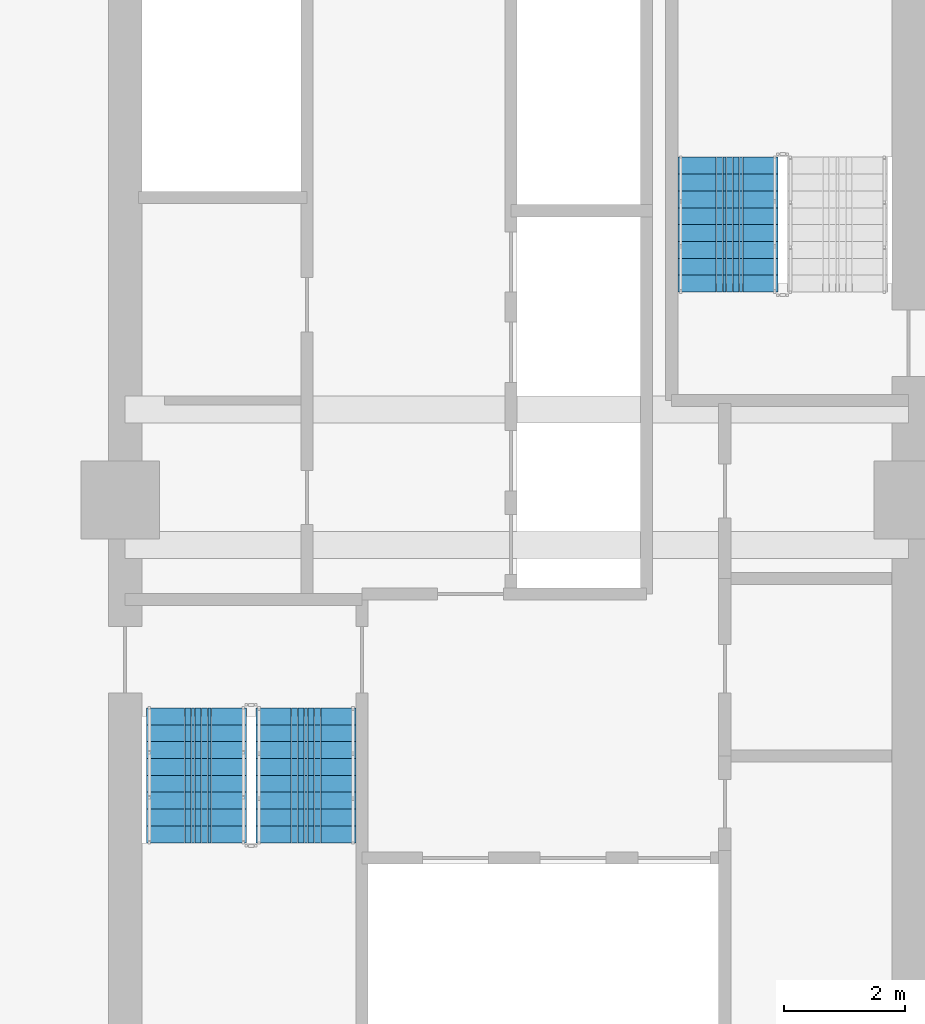
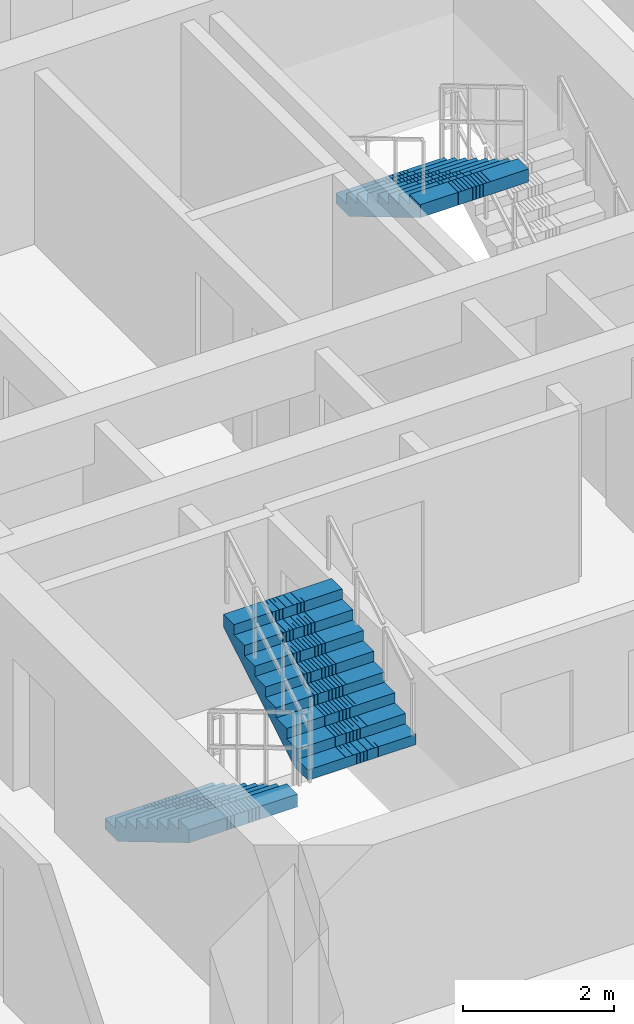
# One storey, part 19 of 24: 3 stair flights, 2 elements without a shape of their own.
"""IFC4 building model written with IfcOpenShell, lengths in metres."""

from ifc_helpers import new_model, si_unit, direction, frame, origin, place, context, subcontext, project, spatial, polyline, outline, extrude, material, type_object, element, aggregate, save


model = new_model("IFC4")

# Units and contexts
model_context = context("Model", 3, precision=1e-05, world=origin(), true_north=direction((0.0, 1.0)))
body_context = subcontext(model_context, "Body", "Model", "MODEL_VIEW")
ifc_project = project(units=[si_unit("LENGTHUNIT", "METRE"), si_unit("AREAUNIT", "SQUARE_METRE"), si_unit("VOLUMEUNIT", "CUBIC_METRE"), si_unit("PLANEANGLEUNIT", "RADIAN"), si_unit("MASSUNIT", "GRAM", prefix="KILO")], contexts=[model_context])

# Site, building, storey
site_placement = place(None, origin())
site = spatial("IfcSite", under=ifc_project, at=site_placement, CompositionType="ELEMENT")
building_placement = place(site_placement, origin())
building = spatial("IfcBuilding", under=site, at=building_placement, Name="Saelheon Loggia Tower", CompositionType="ELEMENT")
storey_placement = place(building_placement, frame((0.0, 0.0, 98.85009765625)))
storey = spatial("IfcBuildingStorey", under=building, at=storey_placement, Name="L31", CompositionType="ELEMENT", Elevation=98.85009765625)

# Stair, stair flights
ifc_material = material(Name="Concrete C40/50", Category="concrete")
stair_type = type_object("IfcStairType", Name="Stair_Escape_Core", PredefinedType="HALF_TURN_STAIR", material=ifc_material)
stair_1_placement = place(storey_placement, origin())
stair_1 = element("IfcStair", 1, at=stair_1_placement, inside=storey, type_object=stair_type, Name="L31 Special Escape Stair ST1", PredefinedType="HALF_TURN_STAIR")
stair_flight_type = type_object("IfcStairFlightType", Name="StairFlight_Tower_1660", PredefinedType="STRAIGHT", material=ifc_material)
stair_flight_1_placement = place(storey_placement, frame((32.679931640625, 23.550048828125, 0.0), z_axis=(0.0, 0.0, 1.0), x_axis=(0.0, -1.0, 0.0)))
stair_flight_1 = element("IfcStairFlight", 2, at=stair_flight_1_placement, type_object=stair_flight_type, Name="ST1 flight 1", NumberOfRisers=9, NumberOfTreads=8, PredefinedType="STRAIGHT", RiserHeight=0.166666667, TreadLength=0.28, context=body_context, shape_type="SweptSolid", body=[
    extrude(outline(polyline([(0.0, 0.0), (0.0, 0.166748046875), (0.280029296875, 0.166748046875), (0.280029296875, 0.333251953125), (0.56005859375, 0.333251953125), (0.56005859375, 0.5), (0.840087890625, 0.5), (0.840087890625, 0.666748046875), (1.1201171875, 0.666748046875), (1.1201171875, 0.833251953125), (1.39990234375, 0.833251953125), (1.39990234375, 1.0), (1.679931640625, 1.0), (1.679931640625, 1.166748046875), (1.9599609375, 1.166748046875), (1.9599609375, 1.333251953125), (2.239990234375, 1.333251953125), (2.239990234375, 1.5), (2.239990234375, 1.1240234375), (0.351806640625, 0.0), (0.0, 0.0)])), frame((0.0, -0.2490234375, 0.0), z_axis=(0.0, -1.0, 0.0), x_axis=(1.0, 0.0, 0.0)), (0.0, 0.0, 1.0), 0.5810546875),
    extrude(outline(polyline([(0.0, 0.0), (0.0, 0.166748046875), (0.280029296875, 0.166748046875), (0.280029296875, 0.333251953125), (0.56005859375, 0.333251953125), (0.56005859375, 0.5), (0.840087890625, 0.5), (0.840087890625, 0.666748046875), (1.1201171875, 0.666748046875), (1.1201171875, 0.833251953125), (1.39990234375, 0.833251953125), (1.39990234375, 1.0), (1.679931640625, 1.0), (1.679931640625, 1.166748046875), (1.9599609375, 1.166748046875), (1.9599609375, 1.333251953125), (2.239990234375, 1.333251953125), (2.239990234375, 1.5), (2.239990234375, 1.1240234375), (0.351806640625, 0.0), (0.0, 0.0)])), frame((0.0, -0.194091796875, 0.0), z_axis=(0.0, -1.0, 0.0), x_axis=(1.0, 0.0, 0.0)), (0.0, 0.0, 1.0), 0.0498046875),
    extrude(outline(polyline([(0.0, 0.0), (0.0, 0.166748046875), (0.280029296875, 0.166748046875), (0.280029296875, 0.333251953125), (0.56005859375, 0.333251953125), (0.56005859375, 0.5), (0.840087890625, 0.5), (0.840087890625, 0.666748046875), (1.1201171875, 0.666748046875), (1.1201171875, 0.833251953125), (1.39990234375, 0.833251953125), (1.39990234375, 1.0), (1.679931640625, 1.0), (1.679931640625, 1.166748046875), (1.9599609375, 1.166748046875), (1.9599609375, 1.333251953125), (2.239990234375, 1.333251953125), (2.239990234375, 1.5), (2.239990234375, 1.1240234375), (0.351806640625, 0.0), (0.0, 0.0)])), frame((0.0, -0.139404296875, 0.0), z_axis=(0.0, -1.0, 0.0), x_axis=(1.0, 0.0, 0.0)), (0.0, 0.0, 1.0), 0.0498046875),
    extrude(outline(polyline([(0.0, 0.0), (0.0, 0.166748046875), (0.280029296875, 0.166748046875), (0.280029296875, 0.333251953125), (0.56005859375, 0.333251953125), (0.56005859375, 0.5), (0.840087890625, 0.5), (0.840087890625, 0.666748046875), (1.1201171875, 0.666748046875), (1.1201171875, 0.833251953125), (1.39990234375, 0.833251953125), (1.39990234375, 1.0), (1.679931640625, 1.0), (1.679931640625, 1.166748046875), (1.9599609375, 1.166748046875), (1.9599609375, 1.333251953125), (2.239990234375, 1.333251953125), (2.239990234375, 1.5), (2.239990234375, 1.1240234375), (0.351806640625, 0.0), (0.0, 0.0)])), frame((0.0, -0.084716796875, 0.0), z_axis=(0.0, -1.0, 0.0), x_axis=(1.0, 0.0, 0.0)), (0.0, 0.0, 1.0), 0.0498046875),
    extrude(outline(polyline([(0.0, 0.0), (0.0, 0.166748046875), (0.280029296875, 0.166748046875), (0.280029296875, 0.333251953125), (0.56005859375, 0.333251953125), (0.56005859375, 0.5), (0.840087890625, 0.5), (0.840087890625, 0.666748046875), (1.1201171875, 0.666748046875), (1.1201171875, 0.833251953125), (1.39990234375, 0.833251953125), (1.39990234375, 1.0), (1.679931640625, 1.0), (1.679931640625, 1.166748046875), (1.9599609375, 1.166748046875), (1.9599609375, 1.333251953125), (2.239990234375, 1.333251953125), (2.239990234375, 1.5), (2.239990234375, 1.1240234375), (0.351806640625, 0.0), (0.0, 0.0)])), frame((0.0, -0.02978515625, 0.0), z_axis=(0.0, -1.0, 0.0), x_axis=(1.0, 0.0, 0.0)), (0.0, 0.0, 1.0), 0.0498046875),
    extrude(outline(polyline([(0.0, 0.0), (0.0, 0.166748046875), (0.280029296875, 0.166748046875), (0.280029296875, 0.333251953125), (0.56005859375, 0.333251953125), (0.56005859375, 0.5), (0.840087890625, 0.5), (0.840087890625, 0.666748046875), (1.1201171875, 0.666748046875), (1.1201171875, 0.833251953125), (1.39990234375, 0.833251953125), (1.39990234375, 1.0), (1.679931640625, 1.0), (1.679931640625, 1.166748046875), (1.9599609375, 1.166748046875), (1.9599609375, 1.333251953125), (2.239990234375, 1.333251953125), (2.239990234375, 1.5), (2.239990234375, 1.1240234375), (0.351806640625, 0.0), (0.0, 0.0)])), frame((0.0, 0.02490234375, 0.0), z_axis=(0.0, -1.0, 0.0), x_axis=(1.0, 0.0, 0.0)), (0.0, 0.0, 1.0), 0.0498046875),
    extrude(outline(polyline([(0.0, 0.0), (0.0, 0.166748046875), (0.280029296875, 0.166748046875), (0.280029296875, 0.333251953125), (0.56005859375, 0.333251953125), (0.56005859375, 0.5), (0.840087890625, 0.5), (0.840087890625, 0.666748046875), (1.1201171875, 0.666748046875), (1.1201171875, 0.833251953125), (1.39990234375, 0.833251953125), (1.39990234375, 1.0), (1.679931640625, 1.0), (1.679931640625, 1.166748046875), (1.9599609375, 1.166748046875), (1.9599609375, 1.333251953125), (2.239990234375, 1.333251953125), (2.239990234375, 1.5), (2.239990234375, 1.1240234375), (0.351806640625, 0.0), (0.0, 0.0)])), frame((0.0, 0.07958984375, 0.0), z_axis=(0.0, -1.0, 0.0), x_axis=(1.0, 0.0, 0.0)), (0.0, 0.0, 1.0), 0.0498046875),
    extrude(outline(polyline([(0.0, 0.0), (0.0, 0.166748046875), (0.280029296875, 0.166748046875), (0.280029296875, 0.333251953125), (0.56005859375, 0.333251953125), (0.56005859375, 0.5), (0.840087890625, 0.5), (0.840087890625, 0.666748046875), (1.1201171875, 0.666748046875), (1.1201171875, 0.833251953125), (1.39990234375, 0.833251953125), (1.39990234375, 1.0), (1.679931640625, 1.0), (1.679931640625, 1.166748046875), (1.9599609375, 1.166748046875), (1.9599609375, 1.333251953125), (2.239990234375, 1.333251953125), (2.239990234375, 1.5), (2.239990234375, 1.1240234375), (0.351806640625, 0.0), (0.0, 0.0)])), frame((0.0, 0.134521484375, 0.0), z_axis=(0.0, -1.0, 0.0), x_axis=(1.0, 0.0, 0.0)), (0.0, 0.0, 1.0), 0.0498046875),
    extrude(outline(polyline([(0.0, 0.0), (0.0, 0.166748046875), (0.280029296875, 0.166748046875), (0.280029296875, 0.333251953125), (0.56005859375, 0.333251953125), (0.56005859375, 0.5), (0.840087890625, 0.5), (0.840087890625, 0.666748046875), (1.1201171875, 0.666748046875), (1.1201171875, 0.833251953125), (1.39990234375, 0.833251953125), (1.39990234375, 1.0), (1.679931640625, 1.0), (1.679931640625, 1.166748046875), (1.9599609375, 1.166748046875), (1.9599609375, 1.333251953125), (2.239990234375, 1.333251953125), (2.239990234375, 1.5), (2.239990234375, 1.1240234375), (0.351806640625, 0.0), (0.0, 0.0)])), frame((0.0, 0.189208984375, 0.0), z_axis=(0.0, -1.0, 0.0), x_axis=(1.0, 0.0, 0.0)), (0.0, 0.0, 1.0), 0.0498046875),
    extrude(outline(polyline([(0.0, 0.0), (0.0, 0.166748046875), (0.280029296875, 0.166748046875), (0.280029296875, 0.333251953125), (0.56005859375, 0.333251953125), (0.56005859375, 0.5), (0.840087890625, 0.5), (0.840087890625, 0.666748046875), (1.1201171875, 0.666748046875), (1.1201171875, 0.833251953125), (1.39990234375, 0.833251953125), (1.39990234375, 1.0), (1.679931640625, 1.0), (1.679931640625, 1.166748046875), (1.9599609375, 1.166748046875), (1.9599609375, 1.333251953125), (2.239990234375, 1.333251953125), (2.239990234375, 1.5), (2.239990234375, 1.1240234375), (0.351806640625, 0.0), (0.0, 0.0)])), frame((0.0, 0.243896484375, 0.0), z_axis=(0.0, -1.0, 0.0), x_axis=(1.0, 0.0, 0.0)), (0.0, 0.0, 1.0), 0.0498046875),
    extrude(outline(polyline([(0.0, 0.0), (0.0, 0.166748046875), (0.280029296875, 0.166748046875), (0.280029296875, 0.333251953125), (0.56005859375, 0.333251953125), (0.56005859375, 0.5), (0.840087890625, 0.5), (0.840087890625, 0.666748046875), (1.1201171875, 0.666748046875), (1.1201171875, 0.833251953125), (1.39990234375, 0.833251953125), (1.39990234375, 1.0), (1.679931640625, 1.0), (1.679931640625, 1.166748046875), (1.9599609375, 1.166748046875), (1.9599609375, 1.333251953125), (2.239990234375, 1.333251953125), (2.239990234375, 1.5), (2.239990234375, 1.1240234375), (0.351806640625, 0.0), (0.0, 0.0)])), frame((0.0, 0.830078125, 0.0), z_axis=(0.0, -1.0, 0.0), x_axis=(1.0, 0.0, 0.0)), (0.0, 0.0, 1.0), 0.5810546875),
])
stair_flight_2_placement = place(storey_placement, frame((34.5, 21.31005859375, 1.5), z_axis=(0.0, 0.0, 1.0), x_axis=(0.0, 1.0, 0.0)))
stair_flight_2 = element("IfcStairFlight", 3, at=stair_flight_2_placement, type_object=stair_flight_type, Name="ST1 flight 2", NumberOfRisers=9, NumberOfTreads=8, PredefinedType="STRAIGHT", RiserHeight=0.166666667, TreadLength=0.28, context=body_context, shape_type="SweptSolid", body=[
    extrude(outline(polyline([(0.0, 0.0), (0.0, 0.166748046875), (0.280029296875, 0.166748046875), (0.280029296875, 0.333251953125), (0.56005859375, 0.333251953125), (0.56005859375, 0.5), (0.840087890625, 0.5), (0.840087890625, 0.666748046875), (1.1201171875, 0.666748046875), (1.1201171875, 0.833251953125), (1.39990234375, 0.833251953125), (1.39990234375, 1.0), (1.679931640625, 1.0), (1.679931640625, 1.166748046875), (1.9599609375, 1.166748046875), (1.9599609375, 1.333251953125), (2.239990234375, 1.333251953125), (2.239990234375, 1.5), (2.239990234375, 1.1240234375), (0.351806640625, 0.0), (0.0, 0.0)])), frame((0.0, -0.2490234375, 0.0), z_axis=(0.0, -1.0, 0.0), x_axis=(1.0, 0.0, 0.0)), (0.0, 0.0, 1.0), 0.5810546875),
    extrude(outline(polyline([(0.0, 0.0), (0.0, 0.166748046875), (0.280029296875, 0.166748046875), (0.280029296875, 0.333251953125), (0.56005859375, 0.333251953125), (0.56005859375, 0.5), (0.840087890625, 0.5), (0.840087890625, 0.666748046875), (1.1201171875, 0.666748046875), (1.1201171875, 0.833251953125), (1.39990234375, 0.833251953125), (1.39990234375, 1.0), (1.679931640625, 1.0), (1.679931640625, 1.166748046875), (1.9599609375, 1.166748046875), (1.9599609375, 1.333251953125), (2.239990234375, 1.333251953125), (2.239990234375, 1.5), (2.239990234375, 1.1240234375), (0.351806640625, 0.0), (0.0, 0.0)])), frame((0.0, -0.194091796875, 0.0), z_axis=(0.0, -1.0, 0.0), x_axis=(1.0, 0.0, 0.0)), (0.0, 0.0, 1.0), 0.0498046875),
    extrude(outline(polyline([(0.0, 0.0), (0.0, 0.166748046875), (0.280029296875, 0.166748046875), (0.280029296875, 0.333251953125), (0.56005859375, 0.333251953125), (0.56005859375, 0.5), (0.840087890625, 0.5), (0.840087890625, 0.666748046875), (1.1201171875, 0.666748046875), (1.1201171875, 0.833251953125), (1.39990234375, 0.833251953125), (1.39990234375, 1.0), (1.679931640625, 1.0), (1.679931640625, 1.166748046875), (1.9599609375, 1.166748046875), (1.9599609375, 1.333251953125), (2.239990234375, 1.333251953125), (2.239990234375, 1.5), (2.239990234375, 1.1240234375), (0.351806640625, 0.0), (0.0, 0.0)])), frame((0.0, -0.139404296875, 0.0), z_axis=(0.0, -1.0, 0.0), x_axis=(1.0, 0.0, 0.0)), (0.0, 0.0, 1.0), 0.0498046875),
    extrude(outline(polyline([(0.0, 0.0), (0.0, 0.166748046875), (0.280029296875, 0.166748046875), (0.280029296875, 0.333251953125), (0.56005859375, 0.333251953125), (0.56005859375, 0.5), (0.840087890625, 0.5), (0.840087890625, 0.666748046875), (1.1201171875, 0.666748046875), (1.1201171875, 0.833251953125), (1.39990234375, 0.833251953125), (1.39990234375, 1.0), (1.679931640625, 1.0), (1.679931640625, 1.166748046875), (1.9599609375, 1.166748046875), (1.9599609375, 1.333251953125), (2.239990234375, 1.333251953125), (2.239990234375, 1.5), (2.239990234375, 1.1240234375), (0.351806640625, 0.0), (0.0, 0.0)])), frame((0.0, -0.084716796875, 0.0), z_axis=(0.0, -1.0, 0.0), x_axis=(1.0, 0.0, 0.0)), (0.0, 0.0, 1.0), 0.0498046875),
    extrude(outline(polyline([(0.0, 0.0), (0.0, 0.166748046875), (0.280029296875, 0.166748046875), (0.280029296875, 0.333251953125), (0.56005859375, 0.333251953125), (0.56005859375, 0.5), (0.840087890625, 0.5), (0.840087890625, 0.666748046875), (1.1201171875, 0.666748046875), (1.1201171875, 0.833251953125), (1.39990234375, 0.833251953125), (1.39990234375, 1.0), (1.679931640625, 1.0), (1.679931640625, 1.166748046875), (1.9599609375, 1.166748046875), (1.9599609375, 1.333251953125), (2.239990234375, 1.333251953125), (2.239990234375, 1.5), (2.239990234375, 1.1240234375), (0.351806640625, 0.0), (0.0, 0.0)])), frame((0.0, -0.02978515625, 0.0), z_axis=(0.0, -1.0, 0.0), x_axis=(1.0, 0.0, 0.0)), (0.0, 0.0, 1.0), 0.0498046875),
    extrude(outline(polyline([(0.0, 0.0), (0.0, 0.166748046875), (0.280029296875, 0.166748046875), (0.280029296875, 0.333251953125), (0.56005859375, 0.333251953125), (0.56005859375, 0.5), (0.840087890625, 0.5), (0.840087890625, 0.666748046875), (1.1201171875, 0.666748046875), (1.1201171875, 0.833251953125), (1.39990234375, 0.833251953125), (1.39990234375, 1.0), (1.679931640625, 1.0), (1.679931640625, 1.166748046875), (1.9599609375, 1.166748046875), (1.9599609375, 1.333251953125), (2.239990234375, 1.333251953125), (2.239990234375, 1.5), (2.239990234375, 1.1240234375), (0.351806640625, 0.0), (0.0, 0.0)])), frame((0.0, 0.02490234375, 0.0), z_axis=(0.0, -1.0, 0.0), x_axis=(1.0, 0.0, 0.0)), (0.0, 0.0, 1.0), 0.0498046875),
    extrude(outline(polyline([(0.0, 0.0), (0.0, 0.166748046875), (0.280029296875, 0.166748046875), (0.280029296875, 0.333251953125), (0.56005859375, 0.333251953125), (0.56005859375, 0.5), (0.840087890625, 0.5), (0.840087890625, 0.666748046875), (1.1201171875, 0.666748046875), (1.1201171875, 0.833251953125), (1.39990234375, 0.833251953125), (1.39990234375, 1.0), (1.679931640625, 1.0), (1.679931640625, 1.166748046875), (1.9599609375, 1.166748046875), (1.9599609375, 1.333251953125), (2.239990234375, 1.333251953125), (2.239990234375, 1.5), (2.239990234375, 1.1240234375), (0.351806640625, 0.0), (0.0, 0.0)])), frame((0.0, 0.07958984375, 0.0), z_axis=(0.0, -1.0, 0.0), x_axis=(1.0, 0.0, 0.0)), (0.0, 0.0, 1.0), 0.0498046875),
    extrude(outline(polyline([(0.0, 0.0), (0.0, 0.166748046875), (0.280029296875, 0.166748046875), (0.280029296875, 0.333251953125), (0.56005859375, 0.333251953125), (0.56005859375, 0.5), (0.840087890625, 0.5), (0.840087890625, 0.666748046875), (1.1201171875, 0.666748046875), (1.1201171875, 0.833251953125), (1.39990234375, 0.833251953125), (1.39990234375, 1.0), (1.679931640625, 1.0), (1.679931640625, 1.166748046875), (1.9599609375, 1.166748046875), (1.9599609375, 1.333251953125), (2.239990234375, 1.333251953125), (2.239990234375, 1.5), (2.239990234375, 1.1240234375), (0.351806640625, 0.0), (0.0, 0.0)])), frame((0.0, 0.134521484375, 0.0), z_axis=(0.0, -1.0, 0.0), x_axis=(1.0, 0.0, 0.0)), (0.0, 0.0, 1.0), 0.0498046875),
    extrude(outline(polyline([(0.0, 0.0), (0.0, 0.166748046875), (0.280029296875, 0.166748046875), (0.280029296875, 0.333251953125), (0.56005859375, 0.333251953125), (0.56005859375, 0.5), (0.840087890625, 0.5), (0.840087890625, 0.666748046875), (1.1201171875, 0.666748046875), (1.1201171875, 0.833251953125), (1.39990234375, 0.833251953125), (1.39990234375, 1.0), (1.679931640625, 1.0), (1.679931640625, 1.166748046875), (1.9599609375, 1.166748046875), (1.9599609375, 1.333251953125), (2.239990234375, 1.333251953125), (2.239990234375, 1.5), (2.239990234375, 1.1240234375), (0.351806640625, 0.0), (0.0, 0.0)])), frame((0.0, 0.189208984375, 0.0), z_axis=(0.0, -1.0, 0.0), x_axis=(1.0, 0.0, 0.0)), (0.0, 0.0, 1.0), 0.0498046875),
    extrude(outline(polyline([(0.0, 0.0), (0.0, 0.166748046875), (0.280029296875, 0.166748046875), (0.280029296875, 0.333251953125), (0.56005859375, 0.333251953125), (0.56005859375, 0.5), (0.840087890625, 0.5), (0.840087890625, 0.666748046875), (1.1201171875, 0.666748046875), (1.1201171875, 0.833251953125), (1.39990234375, 0.833251953125), (1.39990234375, 1.0), (1.679931640625, 1.0), (1.679931640625, 1.166748046875), (1.9599609375, 1.166748046875), (1.9599609375, 1.333251953125), (2.239990234375, 1.333251953125), (2.239990234375, 1.5), (2.239990234375, 1.1240234375), (0.351806640625, 0.0), (0.0, 0.0)])), frame((0.0, 0.243896484375, 0.0), z_axis=(0.0, -1.0, 0.0), x_axis=(1.0, 0.0, 0.0)), (0.0, 0.0, 1.0), 0.0498046875),
    extrude(outline(polyline([(0.0, 0.0), (0.0, 0.166748046875), (0.280029296875, 0.166748046875), (0.280029296875, 0.333251953125), (0.56005859375, 0.333251953125), (0.56005859375, 0.5), (0.840087890625, 0.5), (0.840087890625, 0.666748046875), (1.1201171875, 0.666748046875), (1.1201171875, 0.833251953125), (1.39990234375, 0.833251953125), (1.39990234375, 1.0), (1.679931640625, 1.0), (1.679931640625, 1.166748046875), (1.9599609375, 1.166748046875), (1.9599609375, 1.333251953125), (2.239990234375, 1.333251953125), (2.239990234375, 1.5), (2.239990234375, 1.1240234375), (0.351806640625, 0.0), (0.0, 0.0)])), frame((0.0, 0.830078125, 0.0), z_axis=(0.0, -1.0, 0.0), x_axis=(1.0, 0.0, 0.0)), (0.0, 0.0, 1.0), 0.5810546875),
])
aggregate(stair_1, [stair_flight_1, stair_flight_2])

# Stair, stair flight
stair_2_placement = place(storey_placement, origin())
stair_2 = element("IfcStair", 4, at=stair_2_placement, inside=storey, type_object=stair_type, Name="L31 Special Escape Stair ST2", PredefinedType="HALF_TURN_STAIR")
stair_flight_3_placement = place(storey_placement, frame((41.5, 32.68994140625, 1.5), z_axis=(0.0, 0.0, 1.0), x_axis=(0.0, -1.0, 0.0)))
stair_flight_3 = element("IfcStairFlight", 5, at=stair_flight_3_placement, type_object=stair_flight_type, Name="ST2 flight 2", NumberOfRisers=9, NumberOfTreads=8, PredefinedType="STRAIGHT", RiserHeight=0.166666667, TreadLength=0.28, context=body_context, shape_type="SweptSolid", body=[
    extrude(outline(polyline([(0.0, 0.0), (0.0, 0.166748046875), (0.280029296875, 0.166748046875), (0.280029296875, 0.333251953125), (0.56005859375, 0.333251953125), (0.56005859375, 0.5), (0.840087890625, 0.5), (0.840087890625, 0.666748046875), (1.1201171875, 0.666748046875), (1.1201171875, 0.833251953125), (1.39990234375, 0.833251953125), (1.39990234375, 1.0), (1.679931640625, 1.0), (1.679931640625, 1.166748046875), (1.9599609375, 1.166748046875), (1.9599609375, 1.333251953125), (2.239990234375, 1.333251953125), (2.239990234375, 1.5), (2.239990234375, 1.1240234375), (0.351806640625, 0.0), (0.0, 0.0)])), frame((0.0, -0.2490234375, 0.0), z_axis=(0.0, -1.0, 0.0), x_axis=(1.0, 0.0, 0.0)), (0.0, 0.0, 1.0), 0.5810546875),
    extrude(outline(polyline([(0.0, 0.0), (0.0, 0.166748046875), (0.280029296875, 0.166748046875), (0.280029296875, 0.333251953125), (0.56005859375, 0.333251953125), (0.56005859375, 0.5), (0.840087890625, 0.5), (0.840087890625, 0.666748046875), (1.1201171875, 0.666748046875), (1.1201171875, 0.833251953125), (1.39990234375, 0.833251953125), (1.39990234375, 1.0), (1.679931640625, 1.0), (1.679931640625, 1.166748046875), (1.9599609375, 1.166748046875), (1.9599609375, 1.333251953125), (2.239990234375, 1.333251953125), (2.239990234375, 1.5), (2.239990234375, 1.1240234375), (0.351806640625, 0.0), (0.0, 0.0)])), frame((0.0, -0.194091796875, 0.0), z_axis=(0.0, -1.0, 0.0), x_axis=(1.0, 0.0, 0.0)), (0.0, 0.0, 1.0), 0.0498046875),
    extrude(outline(polyline([(0.0, 0.0), (0.0, 0.166748046875), (0.280029296875, 0.166748046875), (0.280029296875, 0.333251953125), (0.56005859375, 0.333251953125), (0.56005859375, 0.5), (0.840087890625, 0.5), (0.840087890625, 0.666748046875), (1.1201171875, 0.666748046875), (1.1201171875, 0.833251953125), (1.39990234375, 0.833251953125), (1.39990234375, 1.0), (1.679931640625, 1.0), (1.679931640625, 1.166748046875), (1.9599609375, 1.166748046875), (1.9599609375, 1.333251953125), (2.239990234375, 1.333251953125), (2.239990234375, 1.5), (2.239990234375, 1.1240234375), (0.351806640625, 0.0), (0.0, 0.0)])), frame((0.0, -0.139404296875, 0.0), z_axis=(0.0, -1.0, 0.0), x_axis=(1.0, 0.0, 0.0)), (0.0, 0.0, 1.0), 0.0498046875),
    extrude(outline(polyline([(0.0, 0.0), (0.0, 0.166748046875), (0.280029296875, 0.166748046875), (0.280029296875, 0.333251953125), (0.56005859375, 0.333251953125), (0.56005859375, 0.5), (0.840087890625, 0.5), (0.840087890625, 0.666748046875), (1.1201171875, 0.666748046875), (1.1201171875, 0.833251953125), (1.39990234375, 0.833251953125), (1.39990234375, 1.0), (1.679931640625, 1.0), (1.679931640625, 1.166748046875), (1.9599609375, 1.166748046875), (1.9599609375, 1.333251953125), (2.239990234375, 1.333251953125), (2.239990234375, 1.5), (2.239990234375, 1.1240234375), (0.351806640625, 0.0), (0.0, 0.0)])), frame((0.0, -0.084716796875, 0.0), z_axis=(0.0, -1.0, 0.0), x_axis=(1.0, 0.0, 0.0)), (0.0, 0.0, 1.0), 0.0498046875),
    extrude(outline(polyline([(0.0, 0.0), (0.0, 0.166748046875), (0.280029296875, 0.166748046875), (0.280029296875, 0.333251953125), (0.56005859375, 0.333251953125), (0.56005859375, 0.5), (0.840087890625, 0.5), (0.840087890625, 0.666748046875), (1.1201171875, 0.666748046875), (1.1201171875, 0.833251953125), (1.39990234375, 0.833251953125), (1.39990234375, 1.0), (1.679931640625, 1.0), (1.679931640625, 1.166748046875), (1.9599609375, 1.166748046875), (1.9599609375, 1.333251953125), (2.239990234375, 1.333251953125), (2.239990234375, 1.5), (2.239990234375, 1.1240234375), (0.351806640625, 0.0), (0.0, 0.0)])), frame((0.0, -0.02978515625, 0.0), z_axis=(0.0, -1.0, 0.0), x_axis=(1.0, 0.0, 0.0)), (0.0, 0.0, 1.0), 0.0498046875),
    extrude(outline(polyline([(0.0, 0.0), (0.0, 0.166748046875), (0.280029296875, 0.166748046875), (0.280029296875, 0.333251953125), (0.56005859375, 0.333251953125), (0.56005859375, 0.5), (0.840087890625, 0.5), (0.840087890625, 0.666748046875), (1.1201171875, 0.666748046875), (1.1201171875, 0.833251953125), (1.39990234375, 0.833251953125), (1.39990234375, 1.0), (1.679931640625, 1.0), (1.679931640625, 1.166748046875), (1.9599609375, 1.166748046875), (1.9599609375, 1.333251953125), (2.239990234375, 1.333251953125), (2.239990234375, 1.5), (2.239990234375, 1.1240234375), (0.351806640625, 0.0), (0.0, 0.0)])), frame((0.0, 0.02490234375, 0.0), z_axis=(0.0, -1.0, 0.0), x_axis=(1.0, 0.0, 0.0)), (0.0, 0.0, 1.0), 0.0498046875),
    extrude(outline(polyline([(0.0, 0.0), (0.0, 0.166748046875), (0.280029296875, 0.166748046875), (0.280029296875, 0.333251953125), (0.56005859375, 0.333251953125), (0.56005859375, 0.5), (0.840087890625, 0.5), (0.840087890625, 0.666748046875), (1.1201171875, 0.666748046875), (1.1201171875, 0.833251953125), (1.39990234375, 0.833251953125), (1.39990234375, 1.0), (1.679931640625, 1.0), (1.679931640625, 1.166748046875), (1.9599609375, 1.166748046875), (1.9599609375, 1.333251953125), (2.239990234375, 1.333251953125), (2.239990234375, 1.5), (2.239990234375, 1.1240234375), (0.351806640625, 0.0), (0.0, 0.0)])), frame((0.0, 0.07958984375, 0.0), z_axis=(0.0, -1.0, 0.0), x_axis=(1.0, 0.0, 0.0)), (0.0, 0.0, 1.0), 0.0498046875),
    extrude(outline(polyline([(0.0, 0.0), (0.0, 0.166748046875), (0.280029296875, 0.166748046875), (0.280029296875, 0.333251953125), (0.56005859375, 0.333251953125), (0.56005859375, 0.5), (0.840087890625, 0.5), (0.840087890625, 0.666748046875), (1.1201171875, 0.666748046875), (1.1201171875, 0.833251953125), (1.39990234375, 0.833251953125), (1.39990234375, 1.0), (1.679931640625, 1.0), (1.679931640625, 1.166748046875), (1.9599609375, 1.166748046875), (1.9599609375, 1.333251953125), (2.239990234375, 1.333251953125), (2.239990234375, 1.5), (2.239990234375, 1.1240234375), (0.351806640625, 0.0), (0.0, 0.0)])), frame((0.0, 0.134521484375, 0.0), z_axis=(0.0, -1.0, 0.0), x_axis=(1.0, 0.0, 0.0)), (0.0, 0.0, 1.0), 0.0498046875),
    extrude(outline(polyline([(0.0, 0.0), (0.0, 0.166748046875), (0.280029296875, 0.166748046875), (0.280029296875, 0.333251953125), (0.56005859375, 0.333251953125), (0.56005859375, 0.5), (0.840087890625, 0.5), (0.840087890625, 0.666748046875), (1.1201171875, 0.666748046875), (1.1201171875, 0.833251953125), (1.39990234375, 0.833251953125), (1.39990234375, 1.0), (1.679931640625, 1.0), (1.679931640625, 1.166748046875), (1.9599609375, 1.166748046875), (1.9599609375, 1.333251953125), (2.239990234375, 1.333251953125), (2.239990234375, 1.5), (2.239990234375, 1.1240234375), (0.351806640625, 0.0), (0.0, 0.0)])), frame((0.0, 0.189208984375, 0.0), z_axis=(0.0, -1.0, 0.0), x_axis=(1.0, 0.0, 0.0)), (0.0, 0.0, 1.0), 0.0498046875),
    extrude(outline(polyline([(0.0, 0.0), (0.0, 0.166748046875), (0.280029296875, 0.166748046875), (0.280029296875, 0.333251953125), (0.56005859375, 0.333251953125), (0.56005859375, 0.5), (0.840087890625, 0.5), (0.840087890625, 0.666748046875), (1.1201171875, 0.666748046875), (1.1201171875, 0.833251953125), (1.39990234375, 0.833251953125), (1.39990234375, 1.0), (1.679931640625, 1.0), (1.679931640625, 1.166748046875), (1.9599609375, 1.166748046875), (1.9599609375, 1.333251953125), (2.239990234375, 1.333251953125), (2.239990234375, 1.5), (2.239990234375, 1.1240234375), (0.351806640625, 0.0), (0.0, 0.0)])), frame((0.0, 0.243896484375, 0.0), z_axis=(0.0, -1.0, 0.0), x_axis=(1.0, 0.0, 0.0)), (0.0, 0.0, 1.0), 0.0498046875),
    extrude(outline(polyline([(0.0, 0.0), (0.0, 0.166748046875), (0.280029296875, 0.166748046875), (0.280029296875, 0.333251953125), (0.56005859375, 0.333251953125), (0.56005859375, 0.5), (0.840087890625, 0.5), (0.840087890625, 0.666748046875), (1.1201171875, 0.666748046875), (1.1201171875, 0.833251953125), (1.39990234375, 0.833251953125), (1.39990234375, 1.0), (1.679931640625, 1.0), (1.679931640625, 1.166748046875), (1.9599609375, 1.166748046875), (1.9599609375, 1.333251953125), (2.239990234375, 1.333251953125), (2.239990234375, 1.5), (2.239990234375, 1.1240234375), (0.351806640625, 0.0), (0.0, 0.0)])), frame((0.0, 0.830078125, 0.0), z_axis=(0.0, -1.0, 0.0), x_axis=(1.0, 0.0, 0.0)), (0.0, 0.0, 1.0), 0.5810546875),
])
aggregate(stair_2, [stair_flight_3])

save(model, "model.ifc")
